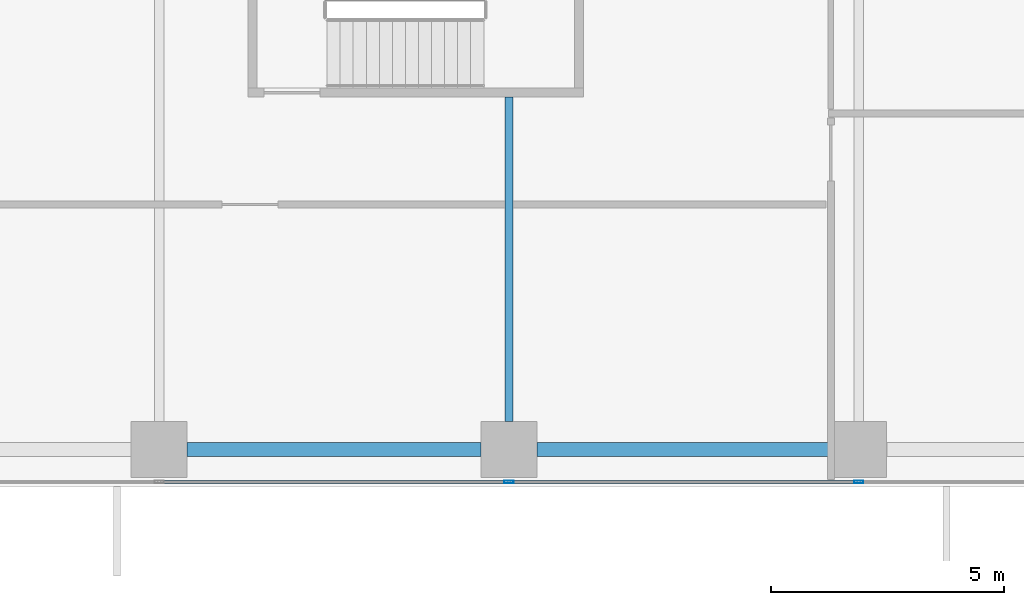
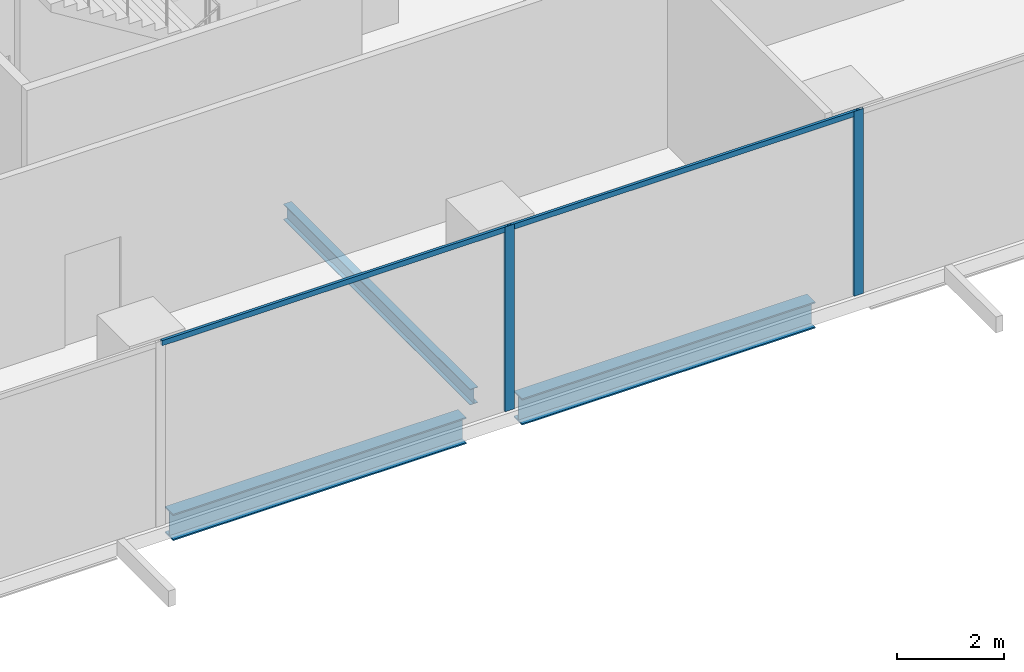
# One storey, part 3 of 33: 4 members, 3 beams, 1 element without a shape of its own.
"""IFC4 building model written with IfcOpenShell, lengths in metres."""

from ifc_helpers import new_model, si_unit, direction, frame, origin, origin_2d, place, context, subcontext, project, spatial, hollow_rectangle, i_section, extrude, source, transform, mapped, material, material_profile, profile_set, type_object, element, aggregate, save


model = new_model("IFC4")

# Units and contexts
model_context = context("Model", 3, precision=1e-05, world=origin(), true_north=direction((0.0, 1.0)))
body_context = subcontext(model_context, "Body", "Model", "MODEL_VIEW")
ifc_project = project(units=[si_unit("LENGTHUNIT", "METRE"), si_unit("AREAUNIT", "SQUARE_METRE"), si_unit("VOLUMEUNIT", "CUBIC_METRE"), si_unit("PLANEANGLEUNIT", "RADIAN"), si_unit("MASSUNIT", "GRAM", prefix="KILO")], contexts=[model_context])

# Site, building, storey
site_placement = place(None, origin())
site = spatial("IfcSite", under=ifc_project, at=site_placement, CompositionType="ELEMENT")
building_placement = place(site_placement, origin())
building = spatial("IfcBuilding", under=site, at=building_placement, Name="Khomas Fold Tower", CompositionType="ELEMENT")
storey_placement = place(building_placement, frame((0.0, 0.0, 55.5)))
storey = spatial("IfcBuildingStorey", under=building, at=storey_placement, Name="L11", CompositionType="ELEMENT", Elevation=55.5)

# Beams
ifc_material_1 = material(Name="Steel S355", Category="steel")
ifc_material_profile_1 = material_profile(ifc_material_1, i_section(OverallWidth=0.169921875, OverallDepth=0.360107421875, WebThickness=0.008056640625, FlangeThickness=0.0126953125, at=origin_2d()), Name="IPE 360")
ifc_profile_set_1 = profile_set([ifc_material_profile_1], Name="Steel S355")
beam_type_1 = type_object("IfcBeamType", Name="IPE 360 beam JB2", PredefinedType="BEAM", material=ifc_profile_set_1)
shared_shape_1 = source(origin(), body_context, "Body", "SweptSolid", [
    extrude(i_section(OverallWidth=0.169921875, OverallDepth=0.360107421875, WebThickness=0.008056640625, FlangeThickness=0.0126953125, at=origin_2d()), origin(), (0.0, 0.0, 1.0), 6.9501953125),
])
beam_placement = place(storey_placement, frame((19.5, 1.39990234375, -0.47998046875), z_axis=(0.0, 1.0, 0.0), x_axis=(-1.0, 0.0, 0.0)))
element("IfcBeam", 1, at=beam_placement, inside=storey, type_object=beam_type_1, Name="JB2", PredefinedType="BEAM", context=body_context, shape_type="MappedRepresentation", body=[
    mapped(shared_shape_1, transform((0.0, 0.0, 0.0))),
])
ifc_material_2 = material(Name="Steel S355", Category="steel")
ifc_material_profile_2 = material_profile(ifc_material_2, i_section(OverallWidth=0.300048828125, OverallDepth=0.60009765625, WebThickness=0.015380859375, FlangeThickness=0.030029296875, at=origin_2d()), Name="HE 600 B")
ifc_profile_set_2 = profile_set([ifc_material_profile_2], Name="Steel S355")
beam_type_2 = type_object("IfcBeamType", Name="HE 600 B spandrel SB1", PredefinedType="SPANDREL", material=ifc_profile_set_2)
shared_shape_2 = source(origin(), body_context, "Body", "SweptSolid", [
    extrude(i_section(OverallWidth=0.300048828125, OverallDepth=0.60009765625, WebThickness=0.015380859375, FlangeThickness=0.030029296875, at=origin_2d()), origin(), (0.0, 0.0, 1.0), 6.2998046875),
])
for number, where, z_axis, x_axis, name in (
    (2, (12.60009765625, 0.800048828125, -0.60009765625), (1.0, 0.0, 0.0), (0.0, 1.0, 0.0), "SB1"),
    (3, (20.10009765625, 0.800048828125, -0.60009765625), (1.0, 0.0, 0.0), (0.0, 1.0, 0.0), "SB1"),
):
    element("IfcBeam", number, at=place(storey_placement, frame(where, z_axis=z_axis, x_axis=x_axis)), inside=storey, type_object=beam_type_2, Name=name, PredefinedType="SPANDREL", context=body_context, shape_type="MappedRepresentation", body=[
        mapped(shared_shape_2, transform((0.0, 0.0, 0.0))),
    ])

# Curtain wall, members
ifc_material_3 = material(Name="Aluminium framed double glazing", Category="aluminium")
curtain_wall_type = type_object("IfcCurtainWallType", Name="SK-Unitised clear-glass wall, growing floors CW1", PredefinedType="NOTDEFINED", material=ifc_material_3)
curtain_wall_placement = place(storey_placement, origin())
curtain_wall = element("IfcCurtainWall", 4, at=curtain_wall_placement, inside=storey, type_object=curtain_wall_type, Name="CW1 run L11 00-0", PredefinedType="NOTDEFINED")
ifc_material_4 = material(Name="Aluminium", Category="aluminium")
ifc_material_profile_3 = material_profile(ifc_material_4, hollow_rectangle(XDim=0.06005859375, YDim=0.1201171875, WallThickness=0.00390625, at=origin_2d()), Name="SK-Unitised clear-glass wall, growing floors transom CW1-T")
ifc_profile_set_3 = profile_set([ifc_material_profile_3], Name="Aluminium")
member_type_1 = type_object("IfcMemberType", Name="SK-Unitised clear-glass wall, growing floors transom CW1-T", PredefinedType="USERDEFINED", material=ifc_profile_set_3)
shared_shape_3 = source(origin(), body_context, "Body", "SweptSolid", [
    extrude(hollow_rectangle(XDim=0.06005859375, YDim=0.1201171875, WallThickness=0.00390625, at=origin_2d()), origin(), (0.0, 0.0, 1.0), 7.43994140625),
])
member_1_placement = place(storey_placement, frame((12.030029296875, 0.10009765625, 4.139892578125), z_axis=(1.0, 0.0, 0.0), x_axis=(0.0, 1.0, 0.0)))
member_1 = element("IfcMember", 5, at=member_1_placement, type_object=member_type_1, Name="CW1 transom 3", ObjectType="TRANSOM", PredefinedType="USERDEFINED", context=body_context, shape_type="MappedRepresentation", body=[
    mapped(shared_shape_3, transform((0.0, 0.0, 0.0))),
])
member_2_placement = place(storey_placement, frame((19.530029296875, 0.10009765625, 4.139892578125), z_axis=(1.0, 0.0, 0.0), x_axis=(0.0, 1.0, 0.0)))
member_2 = element("IfcMember", 6, at=member_2_placement, type_object=member_type_1, Name="CW1 transom 4", ObjectType="TRANSOM", PredefinedType="USERDEFINED", context=body_context, shape_type="MappedRepresentation", body=[
    mapped(shared_shape_3, transform((0.0, 0.0, 0.0))),
])
ifc_material_5 = material(Name="Aluminium", Category="aluminium")
ifc_material_profile_4 = material_profile(ifc_material_5, hollow_rectangle(XDim=0.06005859375, YDim=0.199951171875, WallThickness=0.00390625, at=origin_2d()), Name="SK-Unitised clear-glass wall, growing floors mullion CW1-M")
ifc_profile_set_4 = profile_set([ifc_material_profile_4], Name="Aluminium")
member_type_2 = type_object("IfcMemberType", Name="SK-Unitised clear-glass wall, growing floors mullion CW1-M", PredefinedType="MULLION", material=ifc_profile_set_4)
shared_shape_4 = source(origin(), body_context, "Body", "SweptSolid", [
    extrude(hollow_rectangle(XDim=0.06005859375, YDim=0.199951171875, WallThickness=0.00390625, at=origin_2d()), origin(), (0.0, 0.0, 1.0), 4.199951171875),
])
member_3_placement = place(storey_placement, frame((19.5, 0.10009765625, 0.0), z_axis=(0.0, 0.0, 1.0), x_axis=(0.0, 1.0, 0.0)))
member_3 = element("IfcMember", 7, at=member_3_placement, type_object=member_type_2, Name="CW1 mullion 4", PredefinedType="MULLION", context=body_context, shape_type="MappedRepresentation", body=[
    mapped(shared_shape_4, transform((0.0, 0.0, 0.0))),
])
member_4_placement = place(storey_placement, frame((27.0, 0.10009765625, 0.0), z_axis=(0.0, 0.0, 1.0), x_axis=(0.0, 1.0, 0.0)))
member_4 = element("IfcMember", 8, at=member_4_placement, type_object=member_type_2, Name="CW1 mullion 5", PredefinedType="MULLION", context=body_context, shape_type="MappedRepresentation", body=[
    mapped(shared_shape_4, transform((0.0, 0.0, 0.0))),
])
aggregate(curtain_wall, [member_3, member_4, member_1, member_2])

save(model, "model.ifc")
